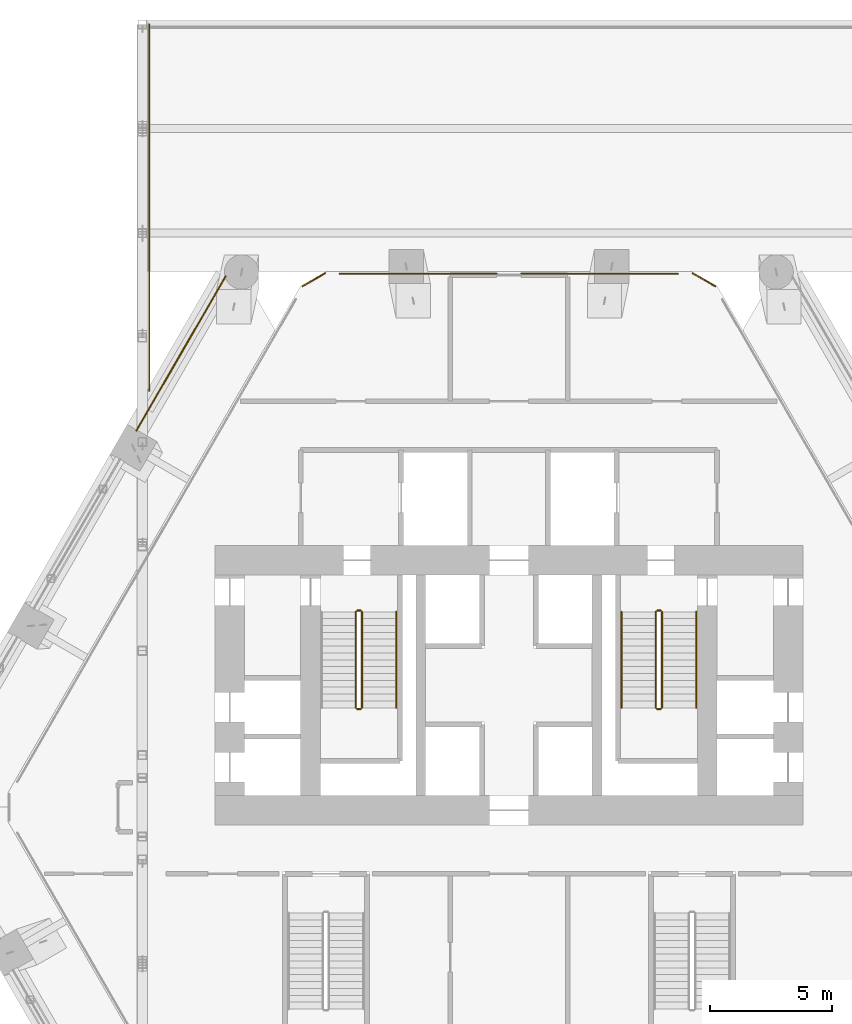
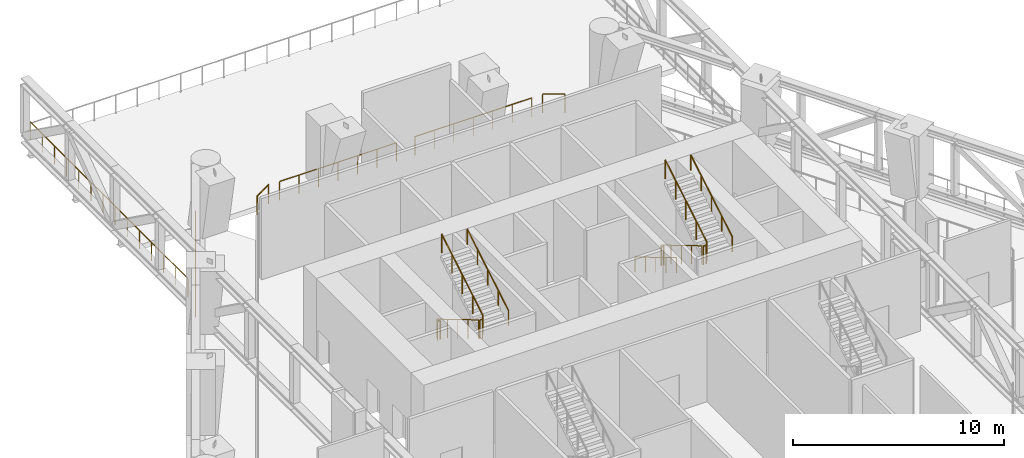
# One storey, part 19 of 20: 17 railings.
"""IFC4 building model written with IfcOpenShell, lengths in metres."""

from ifc_helpers import new_model, si_unit, direction, frame, origin, origin_2d, place, context, subcontext, project, spatial, circle, extrude, material, type_object, element, save


model = new_model("IFC4")

# Units and contexts
model_context = context("Model", 3, precision=1e-05, world=origin(), true_north=direction((0.0, 1.0)))
body_context = subcontext(model_context, "Body", "Model", "MODEL_VIEW")
ifc_project = project(units=[si_unit("LENGTHUNIT", "METRE"), si_unit("AREAUNIT", "SQUARE_METRE"), si_unit("VOLUMEUNIT", "CUBIC_METRE"), si_unit("PLANEANGLEUNIT", "RADIAN"), si_unit("MASSUNIT", "GRAM", prefix="KILO")], contexts=[model_context])

# Site, building, storey
site_placement = place(None, origin())
site = spatial("IfcSite", under=ifc_project, at=site_placement, CompositionType="ELEMENT")
building_placement = place(site_placement, origin())
building = spatial("IfcBuilding", under=site, at=building_placement, Name="Ostrander Bayou Hotel Tower", CompositionType="ELEMENT")
storey_placement = place(building_placement, frame((0.0, 0.0, 80.5)))
storey = spatial("IfcBuildingStorey", under=building, at=storey_placement, Name="L20", CompositionType="ELEMENT", Elevation=80.5)

# Railings
ifc_material_1 = material(Name="Stainless steel and clear glass", Category="steel")
railing_type_1 = type_object("IfcRailingType", Name="GR1 guard 1100 mm", PredefinedType="GUARDRAIL", material=ifc_material_1)
railing_1_placement = place(storey_placement, frame((-11.5712890625, 20.694091796875, 0.0)))
element("IfcRailing", 1, at=railing_1_placement, inside=storey, type_object=railing_type_1, Name="GR1 L20 NW-1 open band guard", PredefinedType="GUARDRAIL", context=body_context, shape_type="SweptSolid", body=[
    extrude(circle(Radius=0.02490234375, at=origin_2d()), frame((0.0, 0.0, 1.0751953125), z_axis=(-0.50000343918, -0.866023418164, 0.0), x_axis=(0.866023418164, -0.50000343918, 0.0)), (0.0, 0.0, 1.0), 7.2705078125),
    extrude(circle(Radius=0.02001953125, at=origin_2d()), origin(), (0.0, 0.0, 1.0), 1.050048828125),
    extrude(circle(Radius=0.02001953125, at=origin_2d()), frame((-0.519287109375, -0.8994140625, 0.0)), (0.0, 0.0, 1.0), 1.050048828125),
    extrude(circle(Radius=0.02001953125, at=origin_2d()), frame((-1.03857421875, -1.799072265625, 0.0)), (0.0, 0.0, 1.0), 1.050048828125),
    extrude(circle(Radius=0.02001953125, at=origin_2d()), frame((-1.557861328125, -2.698486328125, 0.0)), (0.0, 0.0, 1.0), 1.050048828125),
    extrude(circle(Radius=0.02001953125, at=origin_2d()), frame((-2.077392578125, -3.597900390625, 0.0)), (0.0, 0.0, 1.0), 1.050048828125),
    extrude(circle(Radius=0.02001953125, at=origin_2d()), frame((-2.5966796875, -4.497314453125, 0.0)), (0.0, 0.0, 1.0), 1.050048828125),
    extrude(circle(Radius=0.02001953125, at=origin_2d()), frame((-3.115966796875, -5.39697265625, 0.0)), (0.0, 0.0, 1.0), 1.050048828125),
    extrude(circle(Radius=0.02001953125, at=origin_2d()), frame((-3.63525390625, -6.29638671875, 0.0)), (0.0, 0.0, 1.0), 1.050048828125),
])
railing_2_placement = place(storey_placement, frame((-7.50341796875, 20.824951171875, 0.0)))
element("IfcRailing", 2, at=railing_2_placement, inside=storey, type_object=railing_type_1, Name="GR1 L20 corner guard 1", PredefinedType="GUARDRAIL", context=body_context, shape_type="SweptSolid", body=[
    extrude(circle(Radius=0.02490234375, at=origin_2d()), frame((0.0, 0.0, 1.0751953125), z_axis=(-0.866048165231, -0.499960573946, 0.0), x_axis=(0.499960573946, -0.866048165231, 0.0)), (0.0, 0.0, 1.0), 1.06494140625),
    extrude(circle(Radius=0.02001953125, at=origin_2d()), origin(), (0.0, 0.0, 1.0), 1.050048828125),
    extrude(circle(Radius=0.02001953125, at=origin_2d()), frame((-0.92236328125, -0.532470703125, 0.0)), (0.0, 0.0, 1.0), 1.050048828125),
])
railing_3_placement = place(storey_placement, frame((8.42578125, 20.29248046875, 0.0)))
element("IfcRailing", 3, at=railing_3_placement, inside=storey, type_object=railing_type_1, Name="GR1 L20 corner guard 6", PredefinedType="GUARDRAIL", context=body_context, shape_type="SweptSolid", body=[
    extrude(circle(Radius=0.02490234375, at=origin_2d()), frame((0.0, 0.0, 1.0751953125), z_axis=(-0.866048165231, 0.499960573946, 0.0), x_axis=(-0.499960573946, -0.866048165231, 0.0)), (0.0, 0.0, 1.0), 1.06494140625),
    extrude(circle(Radius=0.02001953125, at=origin_2d()), origin(), (0.0, 0.0, 1.0), 1.050048828125),
    extrude(circle(Radius=0.02001953125, at=origin_2d()), frame((-0.92236328125, 0.532470703125, 0.0)), (0.0, 0.0, 1.0), 1.050048828125),
])
railing_4_placement = place(storey_placement, frame((-14.687255859375, 30.986083984375, 0.0)))
element("IfcRailing", 4, at=railing_4_placement, inside=storey, type_object=railing_type_1, Name="GR1 bar roof guard SB1 4", PredefinedType="GUARDRAIL", context=body_context, shape_type="SweptSolid", body=[
    extrude(circle(Radius=0.02490234375, at=origin_2d()), frame((0.0, 0.0, 1.0751953125), z_axis=(0.0, -1.0, 0.0), x_axis=(1.0, 0.0, 0.0)), (0.0, 0.0, 1.0), 14.962158203125),
    extrude(circle(Radius=0.02001953125, at=origin_2d()), origin(), (0.0, 0.0, 1.0), 1.050048828125),
    extrude(circle(Radius=0.02001953125, at=origin_2d()), frame((0.0, -1.15087890625, 0.0)), (0.0, 0.0, 1.0), 1.050048828125),
    extrude(circle(Radius=0.02001953125, at=origin_2d()), frame((0.0, -2.3017578125, 0.0)), (0.0, 0.0, 1.0), 1.050048828125),
    extrude(circle(Radius=0.02001953125, at=origin_2d()), frame((0.0, -3.452880859375, 0.0)), (0.0, 0.0, 1.0), 1.050048828125),
    extrude(circle(Radius=0.02001953125, at=origin_2d()), frame((0.0, -4.603759765625, 0.0)), (0.0, 0.0, 1.0), 1.050048828125),
    extrude(circle(Radius=0.02001953125, at=origin_2d()), frame((0.0, -5.754638671875, 0.0)), (0.0, 0.0, 1.0), 1.050048828125),
    extrude(circle(Radius=0.02001953125, at=origin_2d()), frame((0.0, -6.905517578125, 0.0)), (0.0, 0.0, 1.0), 1.050048828125),
    extrude(circle(Radius=0.02001953125, at=origin_2d()), frame((0.0, -8.056640625, 0.0)), (0.0, 0.0, 1.0), 1.050048828125),
    extrude(circle(Radius=0.02001953125, at=origin_2d()), frame((0.0, -9.20751953125, 0.0)), (0.0, 0.0, 1.0), 1.050048828125),
    extrude(circle(Radius=0.02001953125, at=origin_2d()), frame((0.0, -10.3583984375, 0.0)), (0.0, 0.0, 1.0), 1.050048828125),
    extrude(circle(Radius=0.02001953125, at=origin_2d()), frame((0.0, -11.50927734375, 0.0)), (0.0, 0.0, 1.0), 1.050048828125),
    extrude(circle(Radius=0.02001953125, at=origin_2d()), frame((0.0, -12.660400390625, 0.0)), (0.0, 0.0, 1.0), 1.050048828125),
    extrude(circle(Radius=0.02001953125, at=origin_2d()), frame((0.0, -13.811279296875, 0.0)), (0.0, 0.0, 1.0), 1.050048828125),
    extrude(circle(Radius=0.02001953125, at=origin_2d()), frame((0.0, -14.962158203125, 0.0)), (0.0, 0.0, 1.0), 1.050048828125),
])
for number, where, name in (
    (5, (-6.904541015625, 20.800048828125, 0.0), "GR1 L20 edge guard 1"),
    (6, (0.5, 20.800048828125, 0.0), "GR1 L20 edge guard 1"),
):
    element("IfcRailing", number, at=place(storey_placement, frame(where)), inside=storey, type_object=railing_type_1, Name=name, PredefinedType="GUARDRAIL", context=body_context, shape_type="SweptSolid", body=[
        extrude(circle(Radius=0.02490234375, at=origin_2d()), frame((0.0, 0.0, 1.0751953125), z_axis=(1.0, 0.0, 0.0), x_axis=(0.0, 1.0, 0.0)), (0.0, 0.0, 1.0), 6.404541015625),
        extrude(circle(Radius=0.02001953125, at=origin_2d()), origin(), (0.0, 0.0, 1.0), 1.050048828125),
        extrude(circle(Radius=0.02001953125, at=origin_2d()), frame((1.0673828125, 0.0, 0.0)), (0.0, 0.0, 1.0), 1.050048828125),
        extrude(circle(Radius=0.02001953125, at=origin_2d()), frame((2.134765625, 0.0, 0.0)), (0.0, 0.0, 1.0), 1.050048828125),
        extrude(circle(Radius=0.02001953125, at=origin_2d()), frame((3.2021484375, 0.0, 0.0)), (0.0, 0.0, 1.0), 1.050048828125),
        extrude(circle(Radius=0.02001953125, at=origin_2d()), frame((4.269775390625, 0.0, 0.0)), (0.0, 0.0, 1.0), 1.050048828125),
        extrude(circle(Radius=0.02001953125, at=origin_2d()), frame((5.337158203125, 0.0, 0.0)), (0.0, 0.0, 1.0), 1.050048828125),
        extrude(circle(Radius=0.02001953125, at=origin_2d()), frame((6.404541015625, 0.0, 0.0)), (0.0, 0.0, 1.0), 1.050048828125),
    ])
ifc_material_2 = material(Name="Steel ASTM A500 Gr C", Category="steel")
railing_type_2 = type_object("IfcRailingType", Name="GR1 stair guard 1100 mm steel", PredefinedType="GUARDRAIL", material=ifc_material_2)
railing_5_placement = place(storey_placement, frame((-6.25, 7.0, 0.166748046875)))
element("IfcRailing", 7, at=railing_5_placement, inside=storey, type_object=railing_type_2, Name="L20 STA stair guard 1", PredefinedType="GUARDRAIL", context=body_context, shape_type="SweptSolid", body=[
    extrude(circle(Radius=0.02392578125, at=origin_2d()), frame((0.0, 0.0, 1.076171875), z_axis=(0.0, -0.859296244711, 0.511478214419), x_axis=(1.0, 0.0, 0.0)), (0.0, 0.0, 1.0), 4.561767578125),
    extrude(circle(Radius=0.02099609375, at=origin_2d()), origin(), (0.0, 0.0, 1.0), 1.052001953125),
    extrude(circle(Radius=0.02099609375, at=origin_2d()), frame((0.0, -0.97998046875, 0.583251953125)), (0.0, 0.0, 1.0), 1.052001953125),
    extrude(circle(Radius=0.02099609375, at=origin_2d()), frame((0.0, -1.9599609375, 1.16650390625)), (0.0, 0.0, 1.0), 1.052001953125),
    extrude(circle(Radius=0.02099609375, at=origin_2d()), frame((0.0, -2.93994140625, 1.75)), (0.0, 0.0, 1.0), 1.052001953125),
    extrude(circle(Radius=0.02099609375, at=origin_2d()), frame((0.0, -3.919921875, 2.333251953125)), (0.0, 0.0, 1.0), 1.052001953125),
])
railing_6_placement = place(storey_placement, frame((-6.199951171875, 3.030029296875, 2.5)))
element("IfcRailing", 8, at=railing_6_placement, inside=storey, type_object=railing_type_2, Name="L20 STA stair guard 2", PredefinedType="GUARDRAIL", context=body_context, shape_type="SweptSolid", body=[
    extrude(circle(Radius=0.02392578125, at=origin_2d()), frame((0.0, 0.0, 1.076171875), z_axis=(1.0, 0.0, 0.0), x_axis=(0.0, 1.0, 0.0)), (0.0, 0.0, 1.0), 0.14990234375),
    extrude(circle(Radius=0.02099609375, at=origin_2d()), origin(), (0.0, 0.0, 1.0), 1.052001953125),
    extrude(circle(Radius=0.02099609375, at=origin_2d()), frame((0.14990234375, 0.0, 0.0)), (0.0, 0.0, 1.0), 1.052001953125),
])
railing_7_placement = place(storey_placement, frame((-6.0, 3.080078125, 2.666748046875)))
element("IfcRailing", 9, at=railing_7_placement, inside=storey, type_object=railing_type_2, Name="L20 STA stair guard 3", PredefinedType="GUARDRAIL", context=body_context, shape_type="SweptSolid", body=[
    extrude(circle(Radius=0.02392578125, at=origin_2d()), frame((0.0, 0.0, 1.076171875), z_axis=(0.0, 0.859296244711, 0.511478214419), x_axis=(-1.0, 0.0, 0.0)), (0.0, 0.0, 1.0), 4.561767578125),
    extrude(circle(Radius=0.02099609375, at=origin_2d()), origin(), (0.0, 0.0, 1.0), 1.052001953125),
    extrude(circle(Radius=0.02099609375, at=origin_2d()), frame((0.0, 0.97998046875, 0.583251953125)), (0.0, 0.0, 1.0), 1.052001953125),
    extrude(circle(Radius=0.02099609375, at=origin_2d()), frame((0.0, 1.9599609375, 1.16650390625)), (0.0, 0.0, 1.0), 1.052001953125),
    extrude(circle(Radius=0.02099609375, at=origin_2d()), frame((0.0, 2.93994140625, 1.75)), (0.0, 0.0, 1.0), 1.052001953125),
    extrude(circle(Radius=0.02099609375, at=origin_2d()), frame((0.0, 3.919921875, 2.333251953125)), (0.0, 0.0, 1.0), 1.052001953125),
])
railing_8_placement = place(storey_placement, frame((-6.199951171875, 7.050048828125, 0.0)))
element("IfcRailing", 10, at=railing_8_placement, inside=storey, type_object=railing_type_2, Name="L20 STA stair guard 4", PredefinedType="GUARDRAIL", context=body_context, shape_type="SweptSolid", body=[
    extrude(circle(Radius=0.02392578125, at=origin_2d()), frame((0.0, 0.0, 1.076171875), z_axis=(1.0, 0.0, 0.0), x_axis=(0.0, 1.0, 0.0)), (0.0, 0.0, 1.0), 0.14990234375),
    extrude(circle(Radius=0.02099609375, at=origin_2d()), origin(), (0.0, 0.0, 1.0), 1.052001953125),
    extrude(circle(Radius=0.02099609375, at=origin_2d()), frame((0.14990234375, 0.0, 0.0)), (0.0, 0.0, 1.0), 1.052001953125),
])
railing_9_placement = place(storey_placement, frame((6.0, 7.0, 0.166748046875)))
element("IfcRailing", 11, at=railing_9_placement, inside=storey, type_object=railing_type_2, Name="L20 STB stair guard 1", PredefinedType="GUARDRAIL", context=body_context, shape_type="SweptSolid", body=[
    extrude(circle(Radius=0.02392578125, at=origin_2d()), frame((0.0, 0.0, 1.076171875), z_axis=(0.0, -0.859296244711, 0.511478214419), x_axis=(1.0, 0.0, 0.0)), (0.0, 0.0, 1.0), 4.561767578125),
    extrude(circle(Radius=0.02099609375, at=origin_2d()), origin(), (0.0, 0.0, 1.0), 1.052001953125),
    extrude(circle(Radius=0.02099609375, at=origin_2d()), frame((0.0, -0.97998046875, 0.583251953125)), (0.0, 0.0, 1.0), 1.052001953125),
    extrude(circle(Radius=0.02099609375, at=origin_2d()), frame((0.0, -1.9599609375, 1.16650390625)), (0.0, 0.0, 1.0), 1.052001953125),
    extrude(circle(Radius=0.02099609375, at=origin_2d()), frame((0.0, -2.93994140625, 1.75)), (0.0, 0.0, 1.0), 1.052001953125),
    extrude(circle(Radius=0.02099609375, at=origin_2d()), frame((0.0, -3.919921875, 2.333251953125)), (0.0, 0.0, 1.0), 1.052001953125),
])
railing_10_placement = place(storey_placement, frame((6.050048828125, 3.030029296875, 2.5)))
element("IfcRailing", 12, at=railing_10_placement, inside=storey, type_object=railing_type_2, Name="L20 STB stair guard 2", PredefinedType="GUARDRAIL", context=body_context, shape_type="SweptSolid", body=[
    extrude(circle(Radius=0.02392578125, at=origin_2d()), frame((0.0, 0.0, 1.076171875), z_axis=(1.0, 0.0, 0.0), x_axis=(0.0, 1.0, 0.0)), (0.0, 0.0, 1.0), 0.14990234375),
    extrude(circle(Radius=0.02099609375, at=origin_2d()), origin(), (0.0, 0.0, 1.0), 1.052001953125),
    extrude(circle(Radius=0.02099609375, at=origin_2d()), frame((0.14990234375, 0.0, 0.0)), (0.0, 0.0, 1.0), 1.052001953125),
])
railing_11_placement = place(storey_placement, frame((6.25, 3.080078125, 2.666748046875)))
element("IfcRailing", 13, at=railing_11_placement, inside=storey, type_object=railing_type_2, Name="L20 STB stair guard 3", PredefinedType="GUARDRAIL", context=body_context, shape_type="SweptSolid", body=[
    extrude(circle(Radius=0.02392578125, at=origin_2d()), frame((0.0, 0.0, 1.076171875), z_axis=(0.0, 0.859296244711, 0.511478214419), x_axis=(-1.0, 0.0, 0.0)), (0.0, 0.0, 1.0), 4.561767578125),
    extrude(circle(Radius=0.02099609375, at=origin_2d()), origin(), (0.0, 0.0, 1.0), 1.052001953125),
    extrude(circle(Radius=0.02099609375, at=origin_2d()), frame((0.0, 0.97998046875, 0.583251953125)), (0.0, 0.0, 1.0), 1.052001953125),
    extrude(circle(Radius=0.02099609375, at=origin_2d()), frame((0.0, 1.9599609375, 1.16650390625)), (0.0, 0.0, 1.0), 1.052001953125),
    extrude(circle(Radius=0.02099609375, at=origin_2d()), frame((0.0, 2.93994140625, 1.75)), (0.0, 0.0, 1.0), 1.052001953125),
    extrude(circle(Radius=0.02099609375, at=origin_2d()), frame((0.0, 3.919921875, 2.333251953125)), (0.0, 0.0, 1.0), 1.052001953125),
])
railing_12_placement = place(storey_placement, frame((6.050048828125, 7.050048828125, 0.0)))
element("IfcRailing", 14, at=railing_12_placement, inside=storey, type_object=railing_type_2, Name="L20 STB stair guard 4", PredefinedType="GUARDRAIL", context=body_context, shape_type="SweptSolid", body=[
    extrude(circle(Radius=0.02392578125, at=origin_2d()), frame((0.0, 0.0, 1.076171875), z_axis=(1.0, 0.0, 0.0), x_axis=(0.0, 1.0, 0.0)), (0.0, 0.0, 1.0), 0.14990234375),
    extrude(circle(Radius=0.02099609375, at=origin_2d()), origin(), (0.0, 0.0, 1.0), 1.052001953125),
    extrude(circle(Radius=0.02099609375, at=origin_2d()), frame((0.14990234375, 0.0, 0.0)), (0.0, 0.0, 1.0), 1.052001953125),
])
ifc_material_3 = material(Name="Steel ASTM A500 Gr C", Category="steel")
railing_type_3 = type_object("IfcRailingType", Name="HR1 stair handrail 900 mm steel", PredefinedType="HANDRAIL", material=ifc_material_3)
railing_13_placement = place(storey_placement, frame((-4.60009765625, 3.080078125, 2.666748046875)))
element("IfcRailing", 15, at=railing_13_placement, inside=storey, type_object=railing_type_3, Name="L20 STA stair handrail 2", PredefinedType="HANDRAIL", context=body_context, shape_type="SweptSolid", body=[
    extrude(circle(Radius=0.02392578125, at=origin_2d()), frame((0.0, 0.0, 0.8759765625), z_axis=(0.0, 0.859296244711, 0.511478214419), x_axis=(-1.0, 0.0, 0.0)), (0.0, 0.0, 1.0), 4.561767578125),
    extrude(circle(Radius=0.02099609375, at=origin_2d()), origin(), (0.0, 0.0, 1.0), 0.851806640625),
    extrude(circle(Radius=0.02099609375, at=origin_2d()), frame((0.0, 0.97998046875, 0.583251953125)), (0.0, 0.0, 1.0), 0.851806640625),
    extrude(circle(Radius=0.02099609375, at=origin_2d()), frame((0.0, 1.9599609375, 1.16650390625)), (0.0, 0.0, 1.0), 0.851806640625),
    extrude(circle(Radius=0.02099609375, at=origin_2d()), frame((0.0, 2.93994140625, 1.75)), (0.0, 0.0, 1.0), 0.851806640625),
    extrude(circle(Radius=0.02099609375, at=origin_2d()), frame((0.0, 3.919921875, 2.333251953125)), (0.0, 0.0, 1.0), 0.851806640625),
])
railing_14_placement = place(storey_placement, frame((4.60009765625, 7.0, 0.166748046875)))
element("IfcRailing", 16, at=railing_14_placement, inside=storey, type_object=railing_type_3, Name="L20 STB stair handrail 1", PredefinedType="HANDRAIL", context=body_context, shape_type="SweptSolid", body=[
    extrude(circle(Radius=0.02392578125, at=origin_2d()), frame((0.0, 0.0, 0.8759765625), z_axis=(0.0, -0.859296244711, 0.511478214419), x_axis=(1.0, 0.0, 0.0)), (0.0, 0.0, 1.0), 4.561767578125),
    extrude(circle(Radius=0.02099609375, at=origin_2d()), origin(), (0.0, 0.0, 1.0), 0.851806640625),
    extrude(circle(Radius=0.02099609375, at=origin_2d()), frame((0.0, -0.97998046875, 0.583251953125)), (0.0, 0.0, 1.0), 0.851806640625),
    extrude(circle(Radius=0.02099609375, at=origin_2d()), frame((0.0, -1.9599609375, 1.16650390625)), (0.0, 0.0, 1.0), 0.851806640625),
    extrude(circle(Radius=0.02099609375, at=origin_2d()), frame((0.0, -2.93994140625, 1.75)), (0.0, 0.0, 1.0), 0.851806640625),
    extrude(circle(Radius=0.02099609375, at=origin_2d()), frame((0.0, -3.919921875, 2.333251953125)), (0.0, 0.0, 1.0), 0.851806640625),
])
railing_15_placement = place(storey_placement, frame((7.64990234375, 3.080078125, 2.666748046875)))
element("IfcRailing", 17, at=railing_15_placement, inside=storey, type_object=railing_type_3, Name="L20 STB stair handrail 2", PredefinedType="HANDRAIL", context=body_context, shape_type="SweptSolid", body=[
    extrude(circle(Radius=0.02392578125, at=origin_2d()), frame((0.0, 0.0, 0.8759765625), z_axis=(0.0, 0.859296244711, 0.511478214419), x_axis=(-1.0, 0.0, 0.0)), (0.0, 0.0, 1.0), 4.561767578125),
    extrude(circle(Radius=0.02099609375, at=origin_2d()), origin(), (0.0, 0.0, 1.0), 0.851806640625),
    extrude(circle(Radius=0.02099609375, at=origin_2d()), frame((0.0, 0.97998046875, 0.583251953125)), (0.0, 0.0, 1.0), 0.851806640625),
    extrude(circle(Radius=0.02099609375, at=origin_2d()), frame((0.0, 1.9599609375, 1.16650390625)), (0.0, 0.0, 1.0), 0.851806640625),
    extrude(circle(Radius=0.02099609375, at=origin_2d()), frame((0.0, 2.93994140625, 1.75)), (0.0, 0.0, 1.0), 0.851806640625),
    extrude(circle(Radius=0.02099609375, at=origin_2d()), frame((0.0, 3.919921875, 2.333251953125)), (0.0, 0.0, 1.0), 0.851806640625),
])

save(model, "model.ifc")
